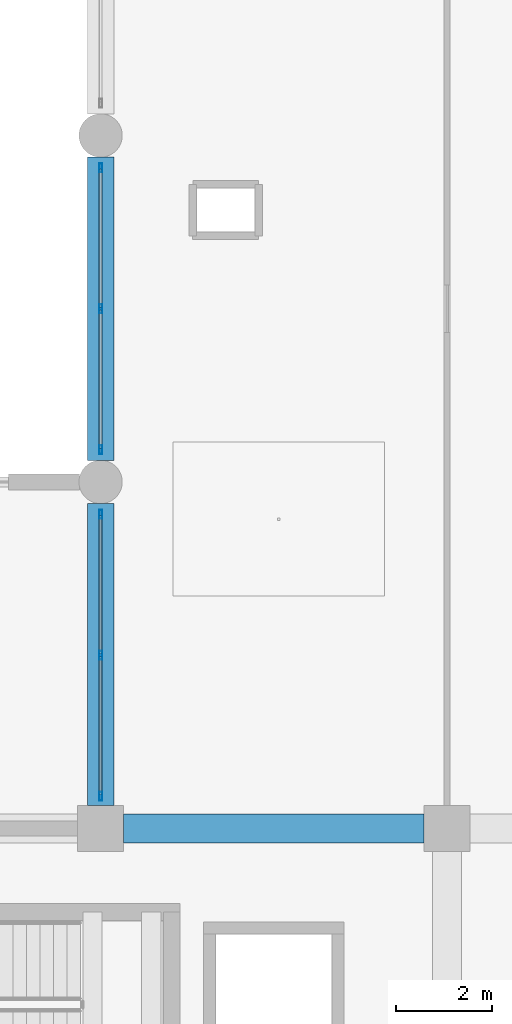
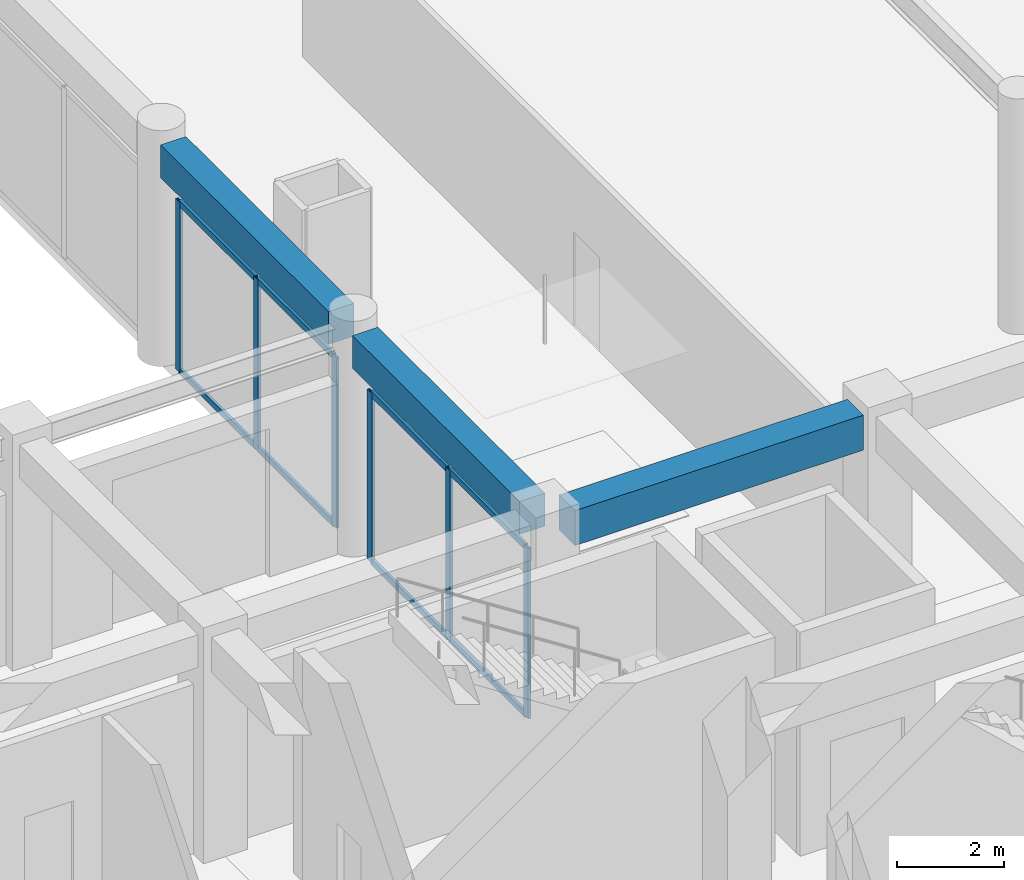
# One storey, part 6 of 56: 14 members, 3 beams, 2 elements without a shape of their own.
"""IFC4 building model written with IfcOpenShell, lengths in metres."""

from ifc_helpers import new_model, si_unit, direction, frame, origin, origin_2d, place, context, subcontext, project, spatial, rectangle, hollow_rectangle, extrude, material, material_profile, profile_set, type_object, element, aggregate, save


model = new_model("IFC4")

# Units and contexts
model_context = context("Model", 3, precision=1e-05, world=origin(), true_north=direction((0.0, 1.0)))
body_context = subcontext(model_context, "Body", "Model", "MODEL_VIEW")
ifc_project = project(units=[si_unit("LENGTHUNIT", "METRE"), si_unit("AREAUNIT", "SQUARE_METRE"), si_unit("VOLUMEUNIT", "CUBIC_METRE"), si_unit("PLANEANGLEUNIT", "RADIAN"), si_unit("MASSUNIT", "GRAM", prefix="KILO")], contexts=[model_context])

# Site, building, storey
site_placement = place(None, origin())
site = spatial("IfcSite", under=ifc_project, at=site_placement, CompositionType="ELEMENT")
building_placement = place(site_placement, origin())
building = spatial("IfcBuilding", under=site, at=building_placement, Name="Kazehaya Institute of Natural Sciences", CompositionType="ELEMENT")
storey_placement = place(building_placement, origin())
storey = spatial("IfcBuildingStorey", under=building, at=storey_placement, Name="L00", CompositionType="ELEMENT", Elevation=0.0)

# Beams
ifc_material_1 = material(Name="Concrete Fc36", Category="concrete")
ifc_material_profile_1 = material_profile(ifc_material_1, rectangle(XDim=0.550048828125, YDim=0.75, at=origin_2d()), Name="RC-550x750")
ifc_profile_set_1 = profile_set([ifc_material_profile_1], Name="Concrete Fc36")
beam_type_1 = type_object("IfcBeamType", Name="BM-G-550x750", PredefinedType="BEAM", material=ifc_profile_set_1)
beam_1_placement = place(storey_placement, frame((61.800048828125, 36.074951171875, 4.7548828125), z_axis=(0.0, 1.0, 0.0), x_axis=(-1.0, 0.0, 0.0)))
element("IfcBeam", 1, at=beam_1_placement, inside=storey, type_object=beam_type_1, Name="L00 primary Y girder BMY-L00-618-356", PredefinedType="BEAM", context=body_context, shape_type="SweptSolid", body=[
    extrude(rectangle(XDim=0.550048828125, YDim=0.75, at=origin_2d()), origin(), (0.0, 0.0, 1.0), 6.275146484375),
])
beam_2_placement = place(storey_placement, frame((61.800048828125, 43.25, 4.7548828125), z_axis=(0.0, 1.0, 0.0), x_axis=(-1.0, 0.0, 0.0)))
element("IfcBeam", 2, at=beam_2_placement, inside=storey, type_object=beam_type_1, Name="L00 primary Y girder BMY-L00-618-428", PredefinedType="BEAM", context=body_context, shape_type="SweptSolid", body=[
    extrude(rectangle(XDim=0.550048828125, YDim=0.75, at=origin_2d()), origin(), (0.0, 0.0, 1.0), 6.300048828125),
])
ifc_material_profile_2 = material_profile(ifc_material_1, rectangle(XDim=0.60009765625, YDim=0.800048828125, at=origin_2d()), Name="RC-600x800")
ifc_profile_set_2 = profile_set([ifc_material_profile_2], Name="Concrete Fc36")
beam_type_2 = type_object("IfcBeamType", Name="BM-G-600x800", PredefinedType="BEAM", material=ifc_profile_set_2)
beam_3_placement = place(storey_placement, frame((62.27490234375, 35.60009765625, 4.72998046875), z_axis=(1.0, 0.0, 0.0), x_axis=(0.0, 1.0, 0.0)))
element("IfcBeam", 3, at=beam_3_placement, inside=storey, type_object=beam_type_2, Name="L00 primary X girder BMX-L00-618-356", PredefinedType="BEAM", context=body_context, shape_type="SweptSolid", body=[
    extrude(rectangle(XDim=0.60009765625, YDim=0.800048828125, at=origin_2d()), origin(), (0.0, 0.0, 1.0), 6.25),
])

# Curtain wall, members
ifc_material_2 = material(Name="Aluminium alloy A6063S-T5", Category="aluminium")
curtain_wall_type = type_object("IfcCurtainWallType", Name="CW-SYS-01", PredefinedType="NOTDEFINED", material=ifc_material_2)
curtain_wall_1_placement = place(storey_placement, origin())
curtain_wall_1 = element("IfcCurtainWall", 4, at=curtain_wall_1_placement, inside=storey, type_object=curtain_wall_type, Name="L00 unitised curtain wall CW-L00-007", PredefinedType="NOTDEFINED")
ifc_material_profile_3 = material_profile(ifc_material_2, hollow_rectangle(XDim=0.06005859375, YDim=0.179931640625, WallThickness=0.00390625, at=origin_2d()), Name="ALU-60x180x4")
ifc_profile_set_3 = profile_set([ifc_material_profile_3], Name="Aluminium alloy A6063S-T5")
member_type_1 = type_object("IfcMemberType", Name="CWM-180", PredefinedType="MULLION", material=ifc_profile_set_3)
member_1_placement = place(storey_placement, frame((61.800048828125, 36.27001953125, 0.0), z_axis=(0.0, 0.0, 1.0), x_axis=(-1.0, 0.0, 0.0)))
member_1 = element("IfcMember", 5, at=member_1_placement, type_object=member_type_1, Name="CW01 mullion 1", PredefinedType="MULLION", context=body_context, shape_type="SweptSolid", body=[
    extrude(hollow_rectangle(XDim=0.06005859375, YDim=0.179931640625, WallThickness=0.00390625, at=origin_2d()), origin(), (0.0, 0.0, 1.0), 3.89990234375),
])
member_2_placement = place(storey_placement, frame((61.800048828125, 39.199951171875, 0.0), z_axis=(0.0, 0.0, 1.0), x_axis=(-1.0, 0.0, 0.0)))
member_2 = element("IfcMember", 6, at=member_2_placement, type_object=member_type_1, Name="CW01 mullion 2", PredefinedType="MULLION", context=body_context, shape_type="SweptSolid", body=[
    extrude(hollow_rectangle(XDim=0.06005859375, YDim=0.179931640625, WallThickness=0.00390625, at=origin_2d()), origin(), (0.0, 0.0, 1.0), 3.89990234375),
])
member_3_placement = place(storey_placement, frame((61.800048828125, 42.1298828125, 0.0), z_axis=(0.0, 0.0, 1.0), x_axis=(-1.0, 0.0, 0.0)))
member_3 = element("IfcMember", 7, at=member_3_placement, type_object=member_type_1, Name="CW01 mullion 3", PredefinedType="MULLION", context=body_context, shape_type="SweptSolid", body=[
    extrude(hollow_rectangle(XDim=0.06005859375, YDim=0.179931640625, WallThickness=0.00390625, at=origin_2d()), origin(), (0.0, 0.0, 1.0), 3.89990234375),
])

curtain_wall_2_placement = place(storey_placement, origin())
curtain_wall_2 = element("IfcCurtainWall", 8, at=curtain_wall_2_placement, inside=storey, type_object=curtain_wall_type, Name="L00 unitised curtain wall CW-L00-009", PredefinedType="NOTDEFINED")
member_4_placement = place(storey_placement, frame((61.800048828125, 43.469970703125, 0.0), z_axis=(0.0, 0.0, 1.0), x_axis=(-1.0, 0.0, 0.0)))
member_4 = element("IfcMember", 9, at=member_4_placement, type_object=member_type_1, Name="CW01 mullion 1", PredefinedType="MULLION", context=body_context, shape_type="SweptSolid", body=[
    extrude(hollow_rectangle(XDim=0.06005859375, YDim=0.179931640625, WallThickness=0.00390625, at=origin_2d()), origin(), (0.0, 0.0, 1.0), 3.89990234375),
])
member_5_placement = place(storey_placement, frame((61.800048828125, 46.39990234375, 0.0), z_axis=(0.0, 0.0, 1.0), x_axis=(-1.0, 0.0, 0.0)))
member_5 = element("IfcMember", 10, at=member_5_placement, type_object=member_type_1, Name="CW01 mullion 2", PredefinedType="MULLION", context=body_context, shape_type="SweptSolid", body=[
    extrude(hollow_rectangle(XDim=0.06005859375, YDim=0.179931640625, WallThickness=0.00390625, at=origin_2d()), origin(), (0.0, 0.0, 1.0), 3.89990234375),
])
member_6_placement = place(storey_placement, frame((61.800048828125, 49.330078125, 0.0), z_axis=(0.0, 0.0, 1.0), x_axis=(-1.0, 0.0, 0.0)))
member_6 = element("IfcMember", 11, at=member_6_placement, type_object=member_type_1, Name="CW01 mullion 3", PredefinedType="MULLION", context=body_context, shape_type="SweptSolid", body=[
    extrude(hollow_rectangle(XDim=0.06005859375, YDim=0.179931640625, WallThickness=0.00390625, at=origin_2d()), origin(), (0.0, 0.0, 1.0), 3.89990234375),
])

# Member
ifc_material_profile_4 = material_profile(ifc_material_2, hollow_rectangle(XDim=0.06005859375, YDim=0.139892578125, WallThickness=0.00341796875, at=origin_2d()), Name="ALU-60x140x3.5")
ifc_profile_set_4 = profile_set([ifc_material_profile_4], Name="Aluminium alloy A6063S-T5")
member_type_2 = type_object("IfcMemberType", Name="CWT-140", PredefinedType="USERDEFINED", material=ifc_profile_set_4)
member_7_placement = place(storey_placement, frame((61.800048828125, 36.300048828125, 0.030029296875), z_axis=(0.0, 1.0, 0.0), x_axis=(-1.0, 0.0, 0.0)))
member_7 = element("IfcMember", 12, at=member_7_placement, type_object=member_type_2, Name="CW01 transom 1.1", ObjectType="TRANSOM", PredefinedType="USERDEFINED", context=body_context, shape_type="SweptSolid", body=[
    extrude(hollow_rectangle(XDim=0.06005859375, YDim=0.139892578125, WallThickness=0.00341796875, at=origin_2d()), origin(), (0.0, 0.0, 1.0), 2.869873046875),
])

member_8_placement = place(storey_placement, frame((61.800048828125, 36.300048828125, 3.8701171875), z_axis=(0.0, 1.0, 0.0), x_axis=(-1.0, 0.0, 0.0)))
member_8 = element("IfcMember", 13, at=member_8_placement, type_object=member_type_2, Name="CW01 transom 1.2", ObjectType="TRANSOM", PredefinedType="USERDEFINED", context=body_context, shape_type="SweptSolid", body=[
    extrude(hollow_rectangle(XDim=0.06005859375, YDim=0.139892578125, WallThickness=0.00341796875, at=origin_2d()), origin(), (0.0, 0.0, 1.0), 2.869873046875),
])

member_9_placement = place(storey_placement, frame((61.800048828125, 39.22998046875, 0.030029296875), z_axis=(0.0, 1.0, 0.0), x_axis=(-1.0, 0.0, 0.0)))
member_9 = element("IfcMember", 14, at=member_9_placement, type_object=member_type_2, Name="CW01 transom 2.1", ObjectType="TRANSOM", PredefinedType="USERDEFINED", context=body_context, shape_type="SweptSolid", body=[
    extrude(hollow_rectangle(XDim=0.06005859375, YDim=0.139892578125, WallThickness=0.00341796875, at=origin_2d()), origin(), (0.0, 0.0, 1.0), 2.8701171875),
])

member_10_placement = place(storey_placement, frame((61.800048828125, 39.22998046875, 3.8701171875), z_axis=(0.0, 1.0, 0.0), x_axis=(-1.0, 0.0, 0.0)))
member_10 = element("IfcMember", 15, at=member_10_placement, type_object=member_type_2, Name="CW01 transom 2.2", ObjectType="TRANSOM", PredefinedType="USERDEFINED", context=body_context, shape_type="SweptSolid", body=[
    extrude(hollow_rectangle(XDim=0.06005859375, YDim=0.139892578125, WallThickness=0.00341796875, at=origin_2d()), origin(), (0.0, 0.0, 1.0), 2.8701171875),
])

aggregate(curtain_wall_1, [member_1, member_2, member_3, member_7, member_8, member_9, member_10])

member_11_placement = place(storey_placement, frame((61.800048828125, 43.5, 0.030029296875), z_axis=(0.0, 1.0, 0.0), x_axis=(-1.0, 0.0, 0.0)))
member_11 = element("IfcMember", 16, at=member_11_placement, type_object=member_type_2, Name="CW01 transom 1.1", ObjectType="TRANSOM", PredefinedType="USERDEFINED", context=body_context, shape_type="SweptSolid", body=[
    extrude(hollow_rectangle(XDim=0.06005859375, YDim=0.139892578125, WallThickness=0.00341796875, at=origin_2d()), origin(), (0.0, 0.0, 1.0), 2.8701171875),
])

member_12_placement = place(storey_placement, frame((61.800048828125, 43.5, 3.8701171875), z_axis=(0.0, 1.0, 0.0), x_axis=(-1.0, 0.0, 0.0)))
member_12 = element("IfcMember", 17, at=member_12_placement, type_object=member_type_2, Name="CW01 transom 1.2", ObjectType="TRANSOM", PredefinedType="USERDEFINED", context=body_context, shape_type="SweptSolid", body=[
    extrude(hollow_rectangle(XDim=0.06005859375, YDim=0.139892578125, WallThickness=0.00341796875, at=origin_2d()), origin(), (0.0, 0.0, 1.0), 2.8701171875),
])

member_13_placement = place(storey_placement, frame((61.800048828125, 46.429931640625, 0.030029296875), z_axis=(0.0, 1.0, 0.0), x_axis=(-1.0, 0.0, 0.0)))
member_13 = element("IfcMember", 18, at=member_13_placement, type_object=member_type_2, Name="CW01 transom 2.1", ObjectType="TRANSOM", PredefinedType="USERDEFINED", context=body_context, shape_type="SweptSolid", body=[
    extrude(hollow_rectangle(XDim=0.06005859375, YDim=0.139892578125, WallThickness=0.00341796875, at=origin_2d()), origin(), (0.0, 0.0, 1.0), 2.8701171875),
])

member_14_placement = place(storey_placement, frame((61.800048828125, 46.429931640625, 3.8701171875), z_axis=(0.0, 1.0, 0.0), x_axis=(-1.0, 0.0, 0.0)))
member_14 = element("IfcMember", 19, at=member_14_placement, type_object=member_type_2, Name="CW01 transom 2.2", ObjectType="TRANSOM", PredefinedType="USERDEFINED", context=body_context, shape_type="SweptSolid", body=[
    extrude(hollow_rectangle(XDim=0.06005859375, YDim=0.139892578125, WallThickness=0.00341796875, at=origin_2d()), origin(), (0.0, 0.0, 1.0), 2.8701171875),
])

aggregate(curtain_wall_2, [member_4, member_5, member_6, member_11, member_12, member_13, member_14])

save(model, "model.ifc")
